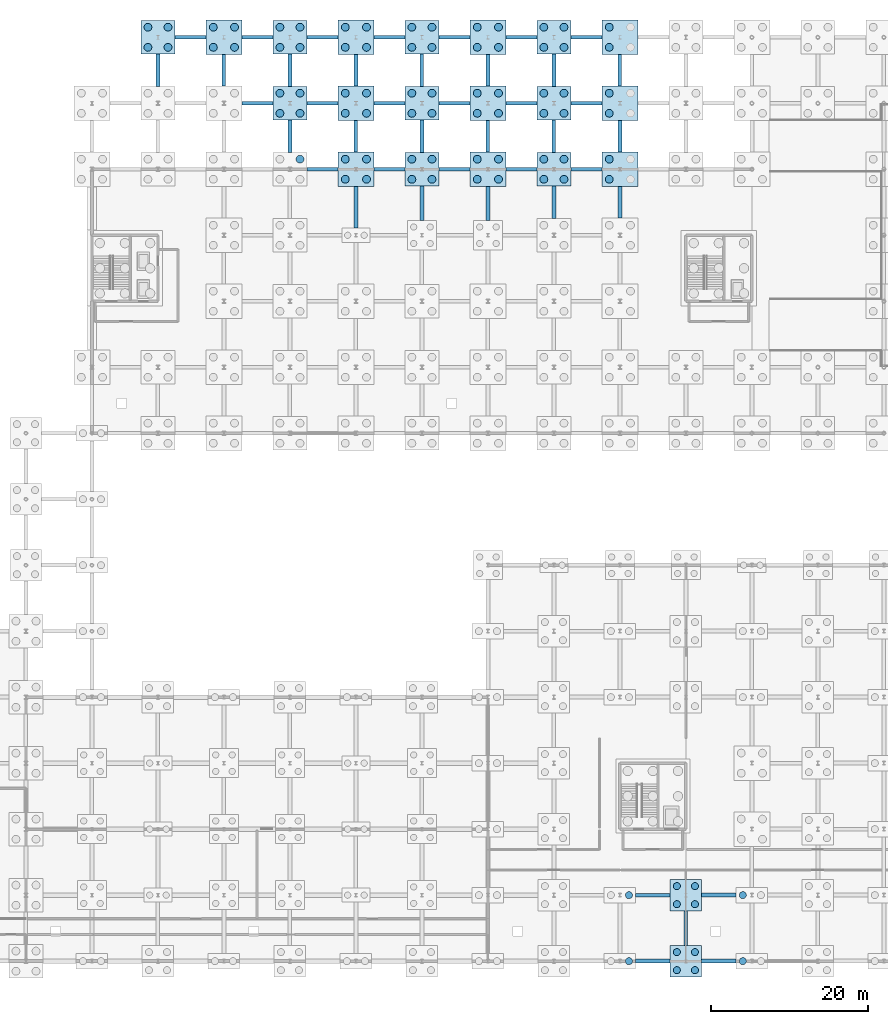
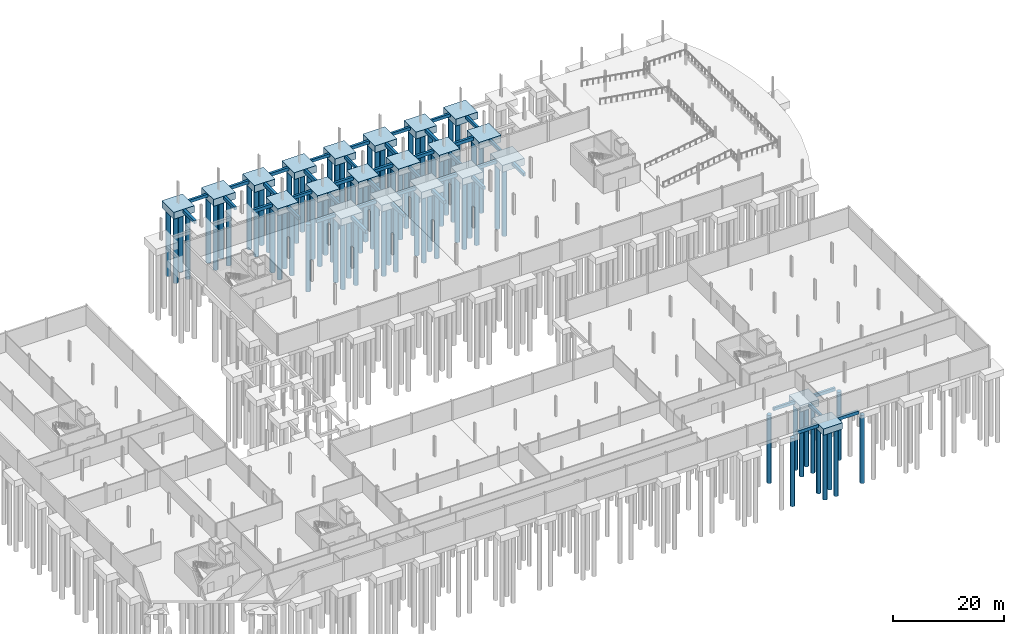
# One storey, part 8 of 51: 83 piles, 63 footings.
"""IFC4 building model written with IfcOpenShell, lengths in metres."""

from ifc_helpers import new_model, si_unit, direction, frame, origin, origin_2d, place, context, subcontext, project, spatial, rectangle, circle, extrude, material, material_profile, profile_set, type_object, element, save


model = new_model("IFC4")

# Units and contexts
model_context = context("Model", 3, precision=1e-05, world=origin(), true_north=direction((0.0, 1.0)))
body_context = subcontext(model_context, "Body", "Model", "MODEL_VIEW")
ifc_project = project(units=[si_unit("LENGTHUNIT", "METRE"), si_unit("AREAUNIT", "SQUARE_METRE"), si_unit("VOLUMEUNIT", "CUBIC_METRE"), si_unit("PLANEANGLEUNIT", "RADIAN"), si_unit("MASSUNIT", "GRAM", prefix="KILO")], contexts=[model_context])

# Site, building, storey
site_placement = place(None, origin())
site = spatial("IfcSite", under=ifc_project, at=site_placement, CompositionType="ELEMENT")
building_placement = place(site_placement, origin())
building = spatial("IfcBuilding", under=site, at=building_placement, Name="Qalvenar Corner Mobility Hub", CompositionType="ELEMENT")
storey_placement = place(building_placement, frame((0.0, 0.0, -4.5)))
storey = spatial("IfcBuildingStorey", under=building, at=storey_placement, Name="B1", CompositionType="ELEMENT", Elevation=-4.5)

# Footings
ifc_material = material(Name="Concrete C40/50", Category="concrete")
footing_type_1 = type_object("IfcFootingType", Name="PC-34X34X14", PredefinedType="PILE_CAP", material=ifc_material)
for number, where, z_axis, x_axis, name in (
    (1, (134.39990234375, 0.0, -1.75), (0.0, 0.0, 1.0), (1.0, 0.0, 0.0), "Pile Cap G17-0"),
    (2, (134.39990234375, 8.39990234375, -1.75), (0.0, 0.0, 1.0), (1.0, 0.0, 0.0), "Pile Cap G17-1"),
):
    element("IfcFooting", number, at=place(storey_placement, frame(where, z_axis=z_axis, x_axis=x_axis)), inside=storey, type_object=footing_type_1, Name=name, PredefinedType="PILE_CAP", context=body_context, shape_type="SweptSolid", body=[
        extrude(rectangle(XDim=4.0, YDim=4.0, at=origin_2d()), origin(), (0.0, 0.0, 1.0), 1.39990234375),
    ])
footing_type_2 = type_object("IfcFootingType", Name="PC-38X38X15", PredefinedType="PILE_CAP", material=ifc_material)
for number, where, z_axis, x_axis, name in (
    (3, (67.199951171875, 117.60009765625, -1.85009765625), (0.0, 0.0, 1.0), (1.0, 0.0, 0.0), "Pile Cap G9-14"),
    (4, (84.0, 109.199951171875, -1.85009765625), (0.0, 0.0, 1.0), (1.0, 0.0, 0.0), "Pile Cap G11-13"),
    (5, (84.0, 117.60009765625, -1.85009765625), (0.0, 0.0, 1.0), (1.0, 0.0, 0.0), "Pile Cap G11-14"),
    (6, (100.800048828125, 100.800048828125, -1.85009765625), (0.0, 0.0, 1.0), (1.0, 0.0, 0.0), "Pile Cap G13-12"),
    (7, (100.800048828125, 109.199951171875, -1.85009765625), (0.0, 0.0, 1.0), (1.0, 0.0, 0.0), "Pile Cap G13-13"),
    (8, (100.800048828125, 117.60009765625, -1.85009765625), (0.0, 0.0, 1.0), (1.0, 0.0, 0.0), "Pile Cap G13-14"),
    (9, (117.60009765625, 100.800048828125, -1.85009765625), (0.0, 0.0, 1.0), (1.0, 0.0, 0.0), "Pile Cap G15-12"),
    (10, (117.60009765625, 109.199951171875, -1.85009765625), (0.0, 0.0, 1.0), (1.0, 0.0, 0.0), "Pile Cap G15-13"),
    (11, (117.60009765625, 117.60009765625, -1.85009765625), (0.0, 0.0, 1.0), (1.0, 0.0, 0.0), "Pile Cap G15-14"),
):
    element("IfcFooting", number, at=place(storey_placement, frame(where, z_axis=z_axis, x_axis=x_axis)), inside=storey, type_object=footing_type_2, Name=name, PredefinedType="PILE_CAP", context=body_context, shape_type="SweptSolid", body=[
        extrude(rectangle(XDim=4.300048828125, YDim=4.300048828125, at=origin_2d()), origin(), (0.0, 0.0, 1.0), 1.5),
    ])
footing_type_3 = type_object("IfcFootingType", Name="PC-42X32X15", PredefinedType="PILE_CAP", material=ifc_material)
for number, where, z_axis, x_axis, name in (
    (12, (75.60009765625, 117.60009765625, -1.85009765625), (0.0, 0.0, 1.0), (1.0, 0.0, 0.0), "Pile Cap G10-14"),
    (13, (92.39990234375, 100.800048828125, -1.85009765625), (0.0, 0.0, 1.0), (1.0, 0.0, 0.0), "Pile Cap G12-12"),
    (14, (92.39990234375, 109.199951171875, -1.85009765625), (0.0, 0.0, 1.0), (1.0, 0.0, 0.0), "Pile Cap G12-13"),
    (15, (92.39990234375, 117.60009765625, -1.85009765625), (0.0, 0.0, 1.0), (1.0, 0.0, 0.0), "Pile Cap G12-14"),
    (16, (109.199951171875, 100.800048828125, -1.85009765625), (0.0, 0.0, 1.0), (1.0, 0.0, 0.0), "Pile Cap G14-12"),
    (17, (109.199951171875, 109.199951171875, -1.85009765625), (0.0, 0.0, 1.0), (1.0, 0.0, 0.0), "Pile Cap G14-13"),
    (18, (109.199951171875, 117.60009765625, -1.85009765625), (0.0, 0.0, 1.0), (1.0, 0.0, 0.0), "Pile Cap G14-14"),
    (19, (126.0, 100.800048828125, -1.85009765625), (0.0, 0.0, 1.0), (1.0, 0.0, 0.0), "Pile Cap G16-12"),
    (20, (126.0, 109.199951171875, -1.85009765625), (0.0, 0.0, 1.0), (1.0, 0.0, 0.0), "Pile Cap G16-13"),
    (21, (126.0, 117.60009765625, -1.85009765625), (0.0, 0.0, 1.0), (1.0, 0.0, 0.0), "Pile Cap G16-14"),
):
    element("IfcFooting", number, at=place(storey_placement, frame(where, z_axis=z_axis, x_axis=x_axis)), inside=storey, type_object=footing_type_3, Name=name, PredefinedType="PILE_CAP", context=body_context, shape_type="SweptSolid", body=[
        extrude(rectangle(XDim=4.60009765625, YDim=4.39990234375, at=origin_2d()), origin(), (0.0, 0.0, 1.0), 1.5),
    ])

# Piles
ifc_material_profile_1 = material_profile(ifc_material, circle(Radius=0.5, at=origin_2d()), Name="DIA1000")
ifc_profile_set_1 = profile_set([ifc_material_profile_1], Name="Concrete C40/50")
pile_type_1 = type_object("IfcPileType", Name="PILE-1000", PredefinedType="BORED", material=ifc_profile_set_1)
for number, where, z_axis, x_axis, name in (
    (22, (65.919921875, 116.320068359375, -1.699951171875), (0.0, 0.0, -1.0), (1.0, 0.0, 0.0), "Bored Pile G9-14-1"),
    (23, (65.919921875, 118.8798828125, -1.699951171875), (0.0, 0.0, -1.0), (1.0, 0.0, 0.0), "Bored Pile G9-14-2"),
    (24, (68.47998046875, 116.320068359375, -1.699951171875), (0.0, 0.0, -1.0), (1.0, 0.0, 0.0), "Bored Pile G9-14-3"),
    (25, (68.47998046875, 118.8798828125, -1.699951171875), (0.0, 0.0, -1.0), (1.0, 0.0, 0.0), "Bored Pile G9-14-4"),
    (26, (74.25, 116.320068359375, -1.699951171875), (0.0, 0.0, -1.0), (1.0, 0.0, 0.0), "Bored Pile G10-14-1"),
    (27, (74.25, 118.8798828125, -1.699951171875), (0.0, 0.0, -1.0), (1.0, 0.0, 0.0), "Bored Pile G10-14-2"),
    (28, (76.949951171875, 116.320068359375, -1.699951171875), (0.0, 0.0, -1.0), (1.0, 0.0, 0.0), "Bored Pile G10-14-3"),
    (29, (76.949951171875, 118.8798828125, -1.699951171875), (0.0, 0.0, -1.0), (1.0, 0.0, 0.0), "Bored Pile G10-14-4"),
    (30, (85.280029296875, 102.080078125, -1.699951171875), (0.0, 0.0, -1.0), (1.0, 0.0, 0.0), "Bored Pile G11-12-4"),
    (31, (82.719970703125, 107.919921875, -1.699951171875), (0.0, 0.0, -1.0), (1.0, 0.0, 0.0), "Bored Pile G11-13-1"),
    (32, (82.719970703125, 110.47998046875, -1.699951171875), (0.0, 0.0, -1.0), (1.0, 0.0, 0.0), "Bored Pile G11-13-2"),
    (33, (85.280029296875, 107.919921875, -1.699951171875), (0.0, 0.0, -1.0), (1.0, 0.0, 0.0), "Bored Pile G11-13-3"),
    (34, (85.280029296875, 110.47998046875, -1.699951171875), (0.0, 0.0, -1.0), (1.0, 0.0, 0.0), "Bored Pile G11-13-4"),
    (35, (82.719970703125, 116.320068359375, -1.699951171875), (0.0, 0.0, -1.0), (1.0, 0.0, 0.0), "Bored Pile G11-14-1"),
    (36, (82.719970703125, 118.8798828125, -1.699951171875), (0.0, 0.0, -1.0), (1.0, 0.0, 0.0), "Bored Pile G11-14-2"),
    (37, (85.280029296875, 116.320068359375, -1.699951171875), (0.0, 0.0, -1.0), (1.0, 0.0, 0.0), "Bored Pile G11-14-3"),
    (38, (85.280029296875, 118.8798828125, -1.699951171875), (0.0, 0.0, -1.0), (1.0, 0.0, 0.0), "Bored Pile G11-14-4"),
    (39, (91.050048828125, 99.52001953125, -1.699951171875), (0.0, 0.0, -1.0), (1.0, 0.0, 0.0), "Bored Pile G12-12-1"),
    (40, (91.050048828125, 102.080078125, -1.699951171875), (0.0, 0.0, -1.0), (1.0, 0.0, 0.0), "Bored Pile G12-12-2"),
    (41, (93.75, 99.52001953125, -1.699951171875), (0.0, 0.0, -1.0), (1.0, 0.0, 0.0), "Bored Pile G12-12-3"),
    (42, (93.75, 102.080078125, -1.699951171875), (0.0, 0.0, -1.0), (1.0, 0.0, 0.0), "Bored Pile G12-12-4"),
    (43, (91.050048828125, 107.919921875, -1.699951171875), (0.0, 0.0, -1.0), (1.0, 0.0, 0.0), "Bored Pile G12-13-1"),
    (44, (91.050048828125, 110.47998046875, -1.699951171875), (0.0, 0.0, -1.0), (1.0, 0.0, 0.0), "Bored Pile G12-13-2"),
    (45, (93.75, 107.919921875, -1.699951171875), (0.0, 0.0, -1.0), (1.0, 0.0, 0.0), "Bored Pile G12-13-3"),
    (46, (93.75, 110.47998046875, -1.699951171875), (0.0, 0.0, -1.0), (1.0, 0.0, 0.0), "Bored Pile G12-13-4"),
    (47, (91.050048828125, 116.320068359375, -1.699951171875), (0.0, 0.0, -1.0), (1.0, 0.0, 0.0), "Bored Pile G12-14-1"),
    (48, (91.050048828125, 118.8798828125, -1.699951171875), (0.0, 0.0, -1.0), (1.0, 0.0, 0.0), "Bored Pile G12-14-2"),
    (49, (93.75, 116.320068359375, -1.699951171875), (0.0, 0.0, -1.0), (1.0, 0.0, 0.0), "Bored Pile G12-14-3"),
    (50, (93.75, 118.8798828125, -1.699951171875), (0.0, 0.0, -1.0), (1.0, 0.0, 0.0), "Bored Pile G12-14-4"),
    (51, (99.52001953125, 99.52001953125, -1.699951171875), (0.0, 0.0, -1.0), (1.0, 0.0, 0.0), "Bored Pile G13-12-1"),
    (52, (99.52001953125, 102.080078125, -1.699951171875), (0.0, 0.0, -1.0), (1.0, 0.0, 0.0), "Bored Pile G13-12-2"),
    (53, (102.080078125, 99.52001953125, -1.699951171875), (0.0, 0.0, -1.0), (1.0, 0.0, 0.0), "Bored Pile G13-12-3"),
    (54, (102.080078125, 102.080078125, -1.699951171875), (0.0, 0.0, -1.0), (1.0, 0.0, 0.0), "Bored Pile G13-12-4"),
    (55, (99.52001953125, 107.919921875, -1.699951171875), (0.0, 0.0, -1.0), (1.0, 0.0, 0.0), "Bored Pile G13-13-1"),
    (56, (99.52001953125, 110.47998046875, -1.699951171875), (0.0, 0.0, -1.0), (1.0, 0.0, 0.0), "Bored Pile G13-13-2"),
    (57, (102.080078125, 107.919921875, -1.699951171875), (0.0, 0.0, -1.0), (1.0, 0.0, 0.0), "Bored Pile G13-13-3"),
    (58, (102.080078125, 110.47998046875, -1.699951171875), (0.0, 0.0, -1.0), (1.0, 0.0, 0.0), "Bored Pile G13-13-4"),
    (59, (99.52001953125, 116.320068359375, -1.699951171875), (0.0, 0.0, -1.0), (1.0, 0.0, 0.0), "Bored Pile G13-14-1"),
    (60, (99.52001953125, 118.8798828125, -1.699951171875), (0.0, 0.0, -1.0), (1.0, 0.0, 0.0), "Bored Pile G13-14-2"),
    (61, (102.080078125, 116.320068359375, -1.699951171875), (0.0, 0.0, -1.0), (1.0, 0.0, 0.0), "Bored Pile G13-14-3"),
    (62, (102.080078125, 118.8798828125, -1.699951171875), (0.0, 0.0, -1.0), (1.0, 0.0, 0.0), "Bored Pile G13-14-4"),
    (63, (107.85009765625, 99.52001953125, -1.699951171875), (0.0, 0.0, -1.0), (1.0, 0.0, 0.0), "Bored Pile G14-12-1"),
    (64, (107.85009765625, 102.080078125, -1.699951171875), (0.0, 0.0, -1.0), (1.0, 0.0, 0.0), "Bored Pile G14-12-2"),
    (65, (110.550048828125, 99.52001953125, -1.699951171875), (0.0, 0.0, -1.0), (1.0, 0.0, 0.0), "Bored Pile G14-12-3"),
    (66, (110.550048828125, 102.080078125, -1.699951171875), (0.0, 0.0, -1.0), (1.0, 0.0, 0.0), "Bored Pile G14-12-4"),
    (67, (107.85009765625, 107.919921875, -1.699951171875), (0.0, 0.0, -1.0), (1.0, 0.0, 0.0), "Bored Pile G14-13-1"),
    (68, (107.85009765625, 110.47998046875, -1.699951171875), (0.0, 0.0, -1.0), (1.0, 0.0, 0.0), "Bored Pile G14-13-2"),
    (69, (110.550048828125, 107.919921875, -1.699951171875), (0.0, 0.0, -1.0), (1.0, 0.0, 0.0), "Bored Pile G14-13-3"),
    (70, (110.550048828125, 110.47998046875, -1.699951171875), (0.0, 0.0, -1.0), (1.0, 0.0, 0.0), "Bored Pile G14-13-4"),
    (71, (107.85009765625, 116.320068359375, -1.699951171875), (0.0, 0.0, -1.0), (1.0, 0.0, 0.0), "Bored Pile G14-14-1"),
    (72, (107.85009765625, 118.8798828125, -1.699951171875), (0.0, 0.0, -1.0), (1.0, 0.0, 0.0), "Bored Pile G14-14-2"),
    (73, (110.550048828125, 116.320068359375, -1.699951171875), (0.0, 0.0, -1.0), (1.0, 0.0, 0.0), "Bored Pile G14-14-3"),
    (74, (110.550048828125, 118.8798828125, -1.699951171875), (0.0, 0.0, -1.0), (1.0, 0.0, 0.0), "Bored Pile G14-14-4"),
    (75, (116.320068359375, 99.52001953125, -1.699951171875), (0.0, 0.0, -1.0), (1.0, 0.0, 0.0), "Bored Pile G15-12-1"),
    (76, (116.320068359375, 102.080078125, -1.699951171875), (0.0, 0.0, -1.0), (1.0, 0.0, 0.0), "Bored Pile G15-12-2"),
    (77, (118.8798828125, 99.52001953125, -1.699951171875), (0.0, 0.0, -1.0), (1.0, 0.0, 0.0), "Bored Pile G15-12-3"),
    (78, (118.8798828125, 102.080078125, -1.699951171875), (0.0, 0.0, -1.0), (1.0, 0.0, 0.0), "Bored Pile G15-12-4"),
    (79, (116.320068359375, 107.919921875, -1.699951171875), (0.0, 0.0, -1.0), (1.0, 0.0, 0.0), "Bored Pile G15-13-1"),
    (80, (116.320068359375, 110.47998046875, -1.699951171875), (0.0, 0.0, -1.0), (1.0, 0.0, 0.0), "Bored Pile G15-13-2"),
    (81, (118.8798828125, 107.919921875, -1.699951171875), (0.0, 0.0, -1.0), (1.0, 0.0, 0.0), "Bored Pile G15-13-3"),
    (82, (118.8798828125, 110.47998046875, -1.699951171875), (0.0, 0.0, -1.0), (1.0, 0.0, 0.0), "Bored Pile G15-13-4"),
    (83, (116.320068359375, 116.320068359375, -1.699951171875), (0.0, 0.0, -1.0), (1.0, 0.0, 0.0), "Bored Pile G15-14-1"),
    (84, (116.320068359375, 118.8798828125, -1.699951171875), (0.0, 0.0, -1.0), (1.0, 0.0, 0.0), "Bored Pile G15-14-2"),
    (85, (118.8798828125, 116.320068359375, -1.699951171875), (0.0, 0.0, -1.0), (1.0, 0.0, 0.0), "Bored Pile G15-14-3"),
    (86, (118.8798828125, 118.8798828125, -1.699951171875), (0.0, 0.0, -1.0), (1.0, 0.0, 0.0), "Bored Pile G15-14-4"),
    (87, (124.64990234375, 99.52001953125, -1.699951171875), (0.0, 0.0, -1.0), (1.0, 0.0, 0.0), "Bored Pile G16-12-1"),
    (88, (124.64990234375, 102.080078125, -1.699951171875), (0.0, 0.0, -1.0), (1.0, 0.0, 0.0), "Bored Pile G16-12-2"),
    (89, (124.64990234375, 107.919921875, -1.699951171875), (0.0, 0.0, -1.0), (1.0, 0.0, 0.0), "Bored Pile G16-13-1"),
    (90, (124.64990234375, 110.47998046875, -1.699951171875), (0.0, 0.0, -1.0), (1.0, 0.0, 0.0), "Bored Pile G16-13-2"),
    (91, (124.64990234375, 116.320068359375, -1.699951171875), (0.0, 0.0, -1.0), (1.0, 0.0, 0.0), "Bored Pile G16-14-1"),
    (92, (124.64990234375, 118.8798828125, -1.699951171875), (0.0, 0.0, -1.0), (1.0, 0.0, 0.0), "Bored Pile G16-14-2"),
):
    element("IfcPile", number, at=place(storey_placement, frame(where, z_axis=z_axis, x_axis=x_axis)), inside=storey, type_object=pile_type_1, Name=name, PredefinedType="BORED", context=body_context, shape_type="SweptSolid", body=[
        extrude(circle(Radius=0.5, at=origin_2d()), origin(), (0.0, 0.0, 1.0), 14.800048828125),
    ])
ifc_material_profile_2 = material_profile(ifc_material, circle(Radius=0.449951171875, at=origin_2d()), Name="DIA900")
ifc_profile_set_2 = profile_set([ifc_material_profile_2], Name="Concrete C40/50")
pile_type_2 = type_object("IfcPileType", Name="PILE-900", PredefinedType="BORED", material=ifc_profile_set_2)
for number, where, z_axis, x_axis, name in (
    (93, (127.14990234375, 0.0, -1.5), (0.0, 0.0, -1.0), (1.0, 0.0, 0.0), "Bored Pile G16-0-2"),
    (94, (127.14990234375, 8.39990234375, -1.5), (0.0, 0.0, -1.0), (1.0, 0.0, 0.0), "Bored Pile G16-1-2"),
):
    element("IfcPile", number, at=place(storey_placement, frame(where, z_axis=z_axis, x_axis=x_axis)), inside=storey, type_object=pile_type_2, Name=name, PredefinedType="BORED", context=body_context, shape_type="SweptSolid", body=[
        extrude(circle(Radius=0.449951171875, at=origin_2d()), origin(), (0.0, 0.0, 1.0), 15.0),
    ])
for number, where, z_axis, x_axis, name in (
    (95, (133.25, -1.14990234375, -1.60009765625), (0.0, 0.0, -1.0), (1.0, 0.0, 0.0), "Bored Pile G17-0-1"),
    (96, (133.25, 1.14990234375, -1.60009765625), (0.0, 0.0, -1.0), (1.0, 0.0, 0.0), "Bored Pile G17-0-2"),
    (97, (135.550048828125, -1.14990234375, -1.60009765625), (0.0, 0.0, -1.0), (1.0, 0.0, 0.0), "Bored Pile G17-0-3"),
    (98, (135.550048828125, 1.14990234375, -1.60009765625), (0.0, 0.0, -1.0), (1.0, 0.0, 0.0), "Bored Pile G17-0-4"),
    (99, (133.25, 7.25, -1.60009765625), (0.0, 0.0, -1.0), (1.0, 0.0, 0.0), "Bored Pile G17-1-1"),
    (100, (133.25, 9.550048828125, -1.60009765625), (0.0, 0.0, -1.0), (1.0, 0.0, 0.0), "Bored Pile G17-1-2"),
    (101, (135.550048828125, 7.25, -1.60009765625), (0.0, 0.0, -1.0), (1.0, 0.0, 0.0), "Bored Pile G17-1-3"),
    (102, (135.550048828125, 9.550048828125, -1.60009765625), (0.0, 0.0, -1.0), (1.0, 0.0, 0.0), "Bored Pile G17-1-4"),
):
    element("IfcPile", number, at=place(storey_placement, frame(where, z_axis=z_axis, x_axis=x_axis)), inside=storey, type_object=pile_type_2, Name=name, PredefinedType="BORED", context=body_context, shape_type="SweptSolid", body=[
        extrude(circle(Radius=0.449951171875, at=origin_2d()), origin(), (0.0, 0.0, 1.0), 14.89990234375),
    ])
for number, where, z_axis, x_axis, name in (
    (103, (141.64990234375, 0.0, -1.5), (0.0, 0.0, -1.0), (1.0, 0.0, 0.0), "Bored Pile G18-0-1"),
    (104, (141.64990234375, 8.39990234375, -1.5), (0.0, 0.0, -1.0), (1.0, 0.0, 0.0), "Bored Pile G18-1-1"),
):
    element("IfcPile", number, at=place(storey_placement, frame(where, z_axis=z_axis, x_axis=x_axis)), inside=storey, type_object=pile_type_2, Name=name, PredefinedType="BORED", context=body_context, shape_type="SweptSolid", body=[
        extrude(circle(Radius=0.449951171875, at=origin_2d()), origin(), (0.0, 0.0, 1.0), 15.0),
    ])

# Footings
ifc_material_profile_3 = material_profile(ifc_material, rectangle(XDim=0.449951171875, YDim=0.64990234375, at=origin_2d()), Name="RC450x650")
ifc_profile_set_3 = profile_set([ifc_material_profile_3], Name="Concrete C40/50")
footing_type_4 = type_object("IfcFootingType", Name="TB-450X650", PredefinedType="FOOTING_BEAM", material=ifc_profile_set_3)
footing_1_placement = place(storey_placement, frame((69.35009765625, 117.60009765625, -0.675048828125), z_axis=(1.0, 0.0, 0.0), x_axis=(0.0, 1.0, 0.0)))
element("IfcFooting", 105, at=footing_1_placement, inside=storey, type_object=footing_type_4, Name="Foundation Tie Beam TB-135", PredefinedType="FOOTING_BEAM", context=body_context, shape_type="SweptSolid", body=[
    extrude(rectangle(XDim=0.449951171875, YDim=0.64990234375, at=origin_2d()), origin(), (0.0, 0.0, 1.0), 3.949951171875),
])
footing_2_placement = place(storey_placement, frame((75.60009765625, 111.39990234375, -0.675048828125), z_axis=(0.0, 1.0, 0.0), x_axis=(-1.0, 0.0, 0.0)))
element("IfcFooting", 106, at=footing_2_placement, inside=storey, type_object=footing_type_4, Name="Foundation Tie Beam TB-156", PredefinedType="FOOTING_BEAM", context=body_context, shape_type="SweptSolid", body=[
    extrude(rectangle(XDim=0.449951171875, YDim=0.64990234375, at=origin_2d()), origin(), (0.0, 0.0, 1.0), 4.0),
])
footing_3_placement = place(storey_placement, frame((86.14990234375, 109.199951171875, -0.675048828125), z_axis=(1.0, 0.0, 0.0), x_axis=(0.0, 1.0, 0.0)))
element("IfcFooting", 107, at=footing_3_placement, inside=storey, type_object=footing_type_4, Name="Foundation Tie Beam TB-177", PredefinedType="FOOTING_BEAM", context=body_context, shape_type="SweptSolid", body=[
    extrude(rectangle(XDim=0.449951171875, YDim=0.64990234375, at=origin_2d()), origin(), (0.0, 0.0, 1.0), 3.9501953125),
])
footing_4_placement = place(storey_placement, frame((92.39990234375, 103.0, -0.675048828125), z_axis=(0.0, 1.0, 0.0), x_axis=(-1.0, 0.0, 0.0)))
element("IfcFooting", 108, at=footing_4_placement, inside=storey, type_object=footing_type_4, Name="Foundation Tie Beam TB-198", PredefinedType="FOOTING_BEAM", context=body_context, shape_type="SweptSolid", body=[
    extrude(rectangle(XDim=0.449951171875, YDim=0.64990234375, at=origin_2d()), origin(), (0.0, 0.0, 1.0), 4.0),
])
for number, where, z_axis, x_axis, name in (
    (109, (94.699951171875, 117.60009765625, -0.675048828125), (1.0, 0.0, 0.0), (0.0, 1.0, 0.0), "Foundation Tie Beam TB-201"),
    (110, (102.949951171875, 100.800048828125, -0.675048828125), (1.0, 0.0, 0.0), (0.0, 1.0, 0.0), "Foundation Tie Beam TB-219"),
):
    element("IfcFooting", number, at=place(storey_placement, frame(where, z_axis=z_axis, x_axis=x_axis)), inside=storey, type_object=footing_type_4, Name=name, PredefinedType="FOOTING_BEAM", context=body_context, shape_type="SweptSolid", body=[
        extrude(rectangle(XDim=0.449951171875, YDim=0.64990234375, at=origin_2d()), origin(), (0.0, 0.0, 1.0), 3.949951171875),
    ])
footing_5_placement = place(storey_placement, frame((100.800048828125, 111.35009765625, -0.675048828125), z_axis=(0.0, 1.0, 0.0), x_axis=(-1.0, 0.0, 0.0)))
element("IfcFooting", 111, at=footing_5_placement, inside=storey, type_object=footing_type_4, Name="Foundation Tie Beam TB-222", PredefinedType="FOOTING_BEAM", context=body_context, shape_type="SweptSolid", body=[
    extrude(rectangle(XDim=0.449951171875, YDim=0.64990234375, at=origin_2d()), origin(), (0.0, 0.0, 1.0), 4.099853515625),
])
footing_6_placement = place(storey_placement, frame((109.199951171875, 103.0, -0.675048828125), z_axis=(0.0, 1.0, 0.0), x_axis=(-1.0, 0.0, 0.0)))
element("IfcFooting", 112, at=footing_6_placement, inside=storey, type_object=footing_type_4, Name="Foundation Tie Beam TB-246", PredefinedType="FOOTING_BEAM", context=body_context, shape_type="SweptSolid", body=[
    extrude(rectangle(XDim=0.449951171875, YDim=0.64990234375, at=origin_2d()), origin(), (0.0, 0.0, 1.0), 4.0),
])
footing_7_placement = place(storey_placement, frame((111.5, 117.60009765625, -0.675048828125), z_axis=(1.0, 0.0, 0.0), x_axis=(0.0, 1.0, 0.0)))
element("IfcFooting", 113, at=footing_7_placement, inside=storey, type_object=footing_type_4, Name="Foundation Tie Beam TB-249", PredefinedType="FOOTING_BEAM", context=body_context, shape_type="SweptSolid", body=[
    extrude(rectangle(XDim=0.449951171875, YDim=0.64990234375, at=origin_2d()), origin(), (0.0, 0.0, 1.0), 3.949951171875),
])
footing_8_placement = place(storey_placement, frame((117.60009765625, 102.949951171875, -0.675048828125), z_axis=(0.0, 1.0, 0.0), x_axis=(-1.0, 0.0, 0.0)))
element("IfcFooting", 114, at=footing_8_placement, inside=storey, type_object=footing_type_4, Name="Foundation Tie Beam TB-270", PredefinedType="FOOTING_BEAM", context=body_context, shape_type="SweptSolid", body=[
    extrude(rectangle(XDim=0.449951171875, YDim=0.64990234375, at=origin_2d()), origin(), (0.0, 0.0, 1.0), 4.10009765625),
])
footing_9_placement = place(storey_placement, frame((119.75, 117.60009765625, -0.675048828125), z_axis=(1.0, 0.0, 0.0), x_axis=(0.0, 1.0, 0.0)))
element("IfcFooting", 115, at=footing_9_placement, inside=storey, type_object=footing_type_4, Name="Foundation Tie Beam TB-273", PredefinedType="FOOTING_BEAM", context=body_context, shape_type="SweptSolid", body=[
    extrude(rectangle(XDim=0.449951171875, YDim=0.64990234375, at=origin_2d()), origin(), (0.0, 0.0, 1.0), 3.949951171875),
])
footing_10_placement = place(storey_placement, frame((128.0, 8.39990234375, -0.675048828125), z_axis=(1.0, 0.0, 0.0), x_axis=(0.0, 1.0, 0.0)))
element("IfcFooting", 116, at=footing_10_placement, inside=storey, type_object=footing_type_4, Name="Foundation Tie Beam TB-276", PredefinedType="FOOTING_BEAM", context=body_context, shape_type="SweptSolid", body=[
    extrude(rectangle(XDim=0.449951171875, YDim=0.64990234375, at=origin_2d()), origin(), (0.0, 0.0, 1.0), 4.39990234375),
])
footing_11_placement = place(storey_placement, frame((126.0, 111.39990234375, -0.675048828125), z_axis=(0.0, 1.0, 0.0), x_axis=(-1.0, 0.0, 0.0)))
element("IfcFooting", 117, at=footing_11_placement, inside=storey, type_object=footing_type_4, Name="Foundation Tie Beam TB-291", PredefinedType="FOOTING_BEAM", context=body_context, shape_type="SweptSolid", body=[
    extrude(rectangle(XDim=0.449951171875, YDim=0.64990234375, at=origin_2d()), origin(), (0.0, 0.0, 1.0), 4.0),
])
footing_12_placement = place(storey_placement, frame((134.39990234375, 2.0, -0.675048828125), z_axis=(0.0, 1.0, 0.0), x_axis=(-1.0, 0.0, 0.0)))
element("IfcFooting", 118, at=footing_12_placement, inside=storey, type_object=footing_type_4, Name="Foundation Tie Beam TB-294", PredefinedType="FOOTING_BEAM", context=body_context, shape_type="SweptSolid", body=[
    extrude(rectangle(XDim=0.449951171875, YDim=0.64990234375, at=origin_2d()), origin(), (0.0, 0.0, 1.0), 4.39990234375),
])
ifc_material_profile_4 = material_profile(ifc_material, rectangle(XDim=0.5, YDim=0.699951171875, at=origin_2d()), Name="RC500x700")
ifc_profile_set_4 = profile_set([ifc_material_profile_4], Name="Concrete C40/50")
footing_type_5 = type_object("IfcFootingType", Name="TB-500X700", PredefinedType="FOOTING_BEAM", material=ifc_profile_set_4)
footing_13_placement = place(storey_placement, frame((67.199951171875, 111.35009765625, -0.699951171875), z_axis=(0.0, 1.0, 0.0), x_axis=(-1.0, 0.0, 0.0)))
element("IfcFooting", 119, at=footing_13_placement, inside=storey, type_object=footing_type_5, Name="Foundation Tie Beam TB-134", PredefinedType="FOOTING_BEAM", context=body_context, shape_type="SweptSolid", body=[
    extrude(rectangle(XDim=0.5, YDim=0.699951171875, at=origin_2d()), origin(), (0.0, 0.0, 1.0), 4.099853515625),
])
for number, where, z_axis, x_axis, name in (
    (120, (77.89990234375, 109.199951171875, -0.699951171875), (1.0, 0.0, 0.0), (0.0, 1.0, 0.0), "Foundation Tie Beam TB-155"),
    (121, (77.89990234375, 117.60009765625, -0.699951171875), (1.0, 0.0, 0.0), (0.0, 1.0, 0.0), "Foundation Tie Beam TB-157"),
    (122, (86.14990234375, 100.800048828125, -0.699951171875), (1.0, 0.0, 0.0), (0.0, 1.0, 0.0), "Foundation Tie Beam TB-175"),
):
    element("IfcFooting", number, at=place(storey_placement, frame(where, z_axis=z_axis, x_axis=x_axis)), inside=storey, type_object=footing_type_5, Name=name, PredefinedType="FOOTING_BEAM", context=body_context, shape_type="SweptSolid", body=[
        extrude(rectangle(XDim=0.5, YDim=0.699951171875, at=origin_2d()), origin(), (0.0, 0.0, 1.0), 3.9501953125),
    ])
footing_14_placement = place(storey_placement, frame((84.0, 102.949951171875, -0.699951171875), z_axis=(0.0, 1.0, 0.0), x_axis=(-1.0, 0.0, 0.0)))
element("IfcFooting", 123, at=footing_14_placement, inside=storey, type_object=footing_type_5, Name="Foundation Tie Beam TB-176", PredefinedType="FOOTING_BEAM", context=body_context, shape_type="SweptSolid", body=[
    extrude(rectangle(XDim=0.5, YDim=0.699951171875, at=origin_2d()), origin(), (0.0, 0.0, 1.0), 4.10009765625),
])
footing_15_placement = place(storey_placement, frame((84.0, 111.35009765625, -0.699951171875), z_axis=(0.0, 1.0, 0.0), x_axis=(-1.0, 0.0, 0.0)))
element("IfcFooting", 124, at=footing_15_placement, inside=storey, type_object=footing_type_5, Name="Foundation Tie Beam TB-178", PredefinedType="FOOTING_BEAM", context=body_context, shape_type="SweptSolid", body=[
    extrude(rectangle(XDim=0.5, YDim=0.699951171875, at=origin_2d()), origin(), (0.0, 0.0, 1.0), 4.099853515625),
])
footing_16_placement = place(storey_placement, frame((86.14990234375, 117.60009765625, -0.699951171875), z_axis=(1.0, 0.0, 0.0), x_axis=(0.0, 1.0, 0.0)))
element("IfcFooting", 125, at=footing_16_placement, inside=storey, type_object=footing_type_5, Name="Foundation Tie Beam TB-179", PredefinedType="FOOTING_BEAM", context=body_context, shape_type="SweptSolid", body=[
    extrude(rectangle(XDim=0.5, YDim=0.699951171875, at=origin_2d()), origin(), (0.0, 0.0, 1.0), 3.9501953125),
])
footing_17_placement = place(storey_placement, frame((92.39990234375, 93.300048828125, -0.699951171875), z_axis=(0.0, 1.0, 0.0), x_axis=(-1.0, 0.0, 0.0)))
element("IfcFooting", 126, at=footing_17_placement, inside=storey, type_object=footing_type_5, Name="Foundation Tie Beam TB-196", PredefinedType="FOOTING_BEAM", context=body_context, shape_type="SweptSolid", body=[
    extrude(rectangle(XDim=0.5, YDim=0.699951171875, at=origin_2d()), origin(), (0.0, 0.0, 1.0), 5.300048828125),
])
for number, where, z_axis, x_axis, name in (
    (127, (94.699951171875, 100.800048828125, -0.699951171875), (1.0, 0.0, 0.0), (0.0, 1.0, 0.0), "Foundation Tie Beam TB-197"),
    (128, (94.699951171875, 109.199951171875, -0.699951171875), (1.0, 0.0, 0.0), (0.0, 1.0, 0.0), "Foundation Tie Beam TB-199"),
):
    element("IfcFooting", number, at=place(storey_placement, frame(where, z_axis=z_axis, x_axis=x_axis)), inside=storey, type_object=footing_type_5, Name=name, PredefinedType="FOOTING_BEAM", context=body_context, shape_type="SweptSolid", body=[
        extrude(rectangle(XDim=0.5, YDim=0.699951171875, at=origin_2d()), origin(), (0.0, 0.0, 1.0), 3.949951171875),
    ])
footing_18_placement = place(storey_placement, frame((92.39990234375, 111.39990234375, -0.699951171875), z_axis=(0.0, 1.0, 0.0), x_axis=(-1.0, 0.0, 0.0)))
element("IfcFooting", 129, at=footing_18_placement, inside=storey, type_object=footing_type_5, Name="Foundation Tie Beam TB-200", PredefinedType="FOOTING_BEAM", context=body_context, shape_type="SweptSolid", body=[
    extrude(rectangle(XDim=0.5, YDim=0.699951171875, at=origin_2d()), origin(), (0.0, 0.0, 1.0), 4.0),
])
footing_19_placement = place(storey_placement, frame((100.800048828125, 94.25, -0.699951171875), z_axis=(0.0, 1.0, 0.0), x_axis=(-1.0, 0.0, 0.0)))
element("IfcFooting", 130, at=footing_19_placement, inside=storey, type_object=footing_type_5, Name="Foundation Tie Beam TB-218", PredefinedType="FOOTING_BEAM", context=body_context, shape_type="SweptSolid", body=[
    extrude(rectangle(XDim=0.5, YDim=0.699951171875, at=origin_2d()), origin(), (0.0, 0.0, 1.0), 4.39990234375),
])
footing_20_placement = place(storey_placement, frame((100.800048828125, 102.949951171875, -0.699951171875), z_axis=(0.0, 1.0, 0.0), x_axis=(-1.0, 0.0, 0.0)))
element("IfcFooting", 131, at=footing_20_placement, inside=storey, type_object=footing_type_5, Name="Foundation Tie Beam TB-220", PredefinedType="FOOTING_BEAM", context=body_context, shape_type="SweptSolid", body=[
    extrude(rectangle(XDim=0.5, YDim=0.699951171875, at=origin_2d()), origin(), (0.0, 0.0, 1.0), 4.10009765625),
])
for number, where, z_axis, x_axis, name in (
    (132, (102.949951171875, 109.199951171875, -0.699951171875), (1.0, 0.0, 0.0), (0.0, 1.0, 0.0), "Foundation Tie Beam TB-221"),
    (133, (102.949951171875, 117.60009765625, -0.699951171875), (1.0, 0.0, 0.0), (0.0, 1.0, 0.0), "Foundation Tie Beam TB-223"),
):
    element("IfcFooting", number, at=place(storey_placement, frame(where, z_axis=z_axis, x_axis=x_axis)), inside=storey, type_object=footing_type_5, Name=name, PredefinedType="FOOTING_BEAM", context=body_context, shape_type="SweptSolid", body=[
        extrude(rectangle(XDim=0.5, YDim=0.699951171875, at=origin_2d()), origin(), (0.0, 0.0, 1.0), 3.949951171875),
    ])
footing_21_placement = place(storey_placement, frame((109.199951171875, 94.25, -0.699951171875), z_axis=(0.0, 1.0, 0.0), x_axis=(-1.0, 0.0, 0.0)))
element("IfcFooting", 134, at=footing_21_placement, inside=storey, type_object=footing_type_5, Name="Foundation Tie Beam TB-244", PredefinedType="FOOTING_BEAM", context=body_context, shape_type="SweptSolid", body=[
    extrude(rectangle(XDim=0.5, YDim=0.699951171875, at=origin_2d()), origin(), (0.0, 0.0, 1.0), 4.35009765625),
])
for number, where, z_axis, x_axis, name in (
    (135, (111.5, 100.800048828125, -0.699951171875), (1.0, 0.0, 0.0), (0.0, 1.0, 0.0), "Foundation Tie Beam TB-245"),
    (136, (111.5, 109.199951171875, -0.699951171875), (1.0, 0.0, 0.0), (0.0, 1.0, 0.0), "Foundation Tie Beam TB-247"),
):
    element("IfcFooting", number, at=place(storey_placement, frame(where, z_axis=z_axis, x_axis=x_axis)), inside=storey, type_object=footing_type_5, Name=name, PredefinedType="FOOTING_BEAM", context=body_context, shape_type="SweptSolid", body=[
        extrude(rectangle(XDim=0.5, YDim=0.699951171875, at=origin_2d()), origin(), (0.0, 0.0, 1.0), 3.949951171875),
    ])
footing_22_placement = place(storey_placement, frame((109.199951171875, 111.39990234375, -0.699951171875), z_axis=(0.0, 1.0, 0.0), x_axis=(-1.0, 0.0, 0.0)))
element("IfcFooting", 137, at=footing_22_placement, inside=storey, type_object=footing_type_5, Name="Foundation Tie Beam TB-248", PredefinedType="FOOTING_BEAM", context=body_context, shape_type="SweptSolid", body=[
    extrude(rectangle(XDim=0.5, YDim=0.699951171875, at=origin_2d()), origin(), (0.0, 0.0, 1.0), 4.0),
])
footing_23_placement = place(storey_placement, frame((117.60009765625, 94.550048828125, -0.699951171875), z_axis=(0.0, 1.0, 0.0), x_axis=(-1.0, 0.0, 0.0)))
element("IfcFooting", 138, at=footing_23_placement, inside=storey, type_object=footing_type_5, Name="Foundation Tie Beam TB-268", PredefinedType="FOOTING_BEAM", context=body_context, shape_type="SweptSolid", body=[
    extrude(rectangle(XDim=0.5, YDim=0.699951171875, at=origin_2d()), origin(), (0.0, 0.0, 1.0), 4.099853515625),
])
for number, where, z_axis, x_axis, name in (
    (139, (119.75, 100.800048828125, -0.699951171875), (1.0, 0.0, 0.0), (0.0, 1.0, 0.0), "Foundation Tie Beam TB-269"),
    (140, (119.75, 109.199951171875, -0.699951171875), (1.0, 0.0, 0.0), (0.0, 1.0, 0.0), "Foundation Tie Beam TB-271"),
):
    element("IfcFooting", number, at=place(storey_placement, frame(where, z_axis=z_axis, x_axis=x_axis)), inside=storey, type_object=footing_type_5, Name=name, PredefinedType="FOOTING_BEAM", context=body_context, shape_type="SweptSolid", body=[
        extrude(rectangle(XDim=0.5, YDim=0.699951171875, at=origin_2d()), origin(), (0.0, 0.0, 1.0), 3.949951171875),
    ])
footing_24_placement = place(storey_placement, frame((117.60009765625, 111.35009765625, -0.699951171875), z_axis=(0.0, 1.0, 0.0), x_axis=(-1.0, 0.0, 0.0)))
element("IfcFooting", 141, at=footing_24_placement, inside=storey, type_object=footing_type_5, Name="Foundation Tie Beam TB-272", PredefinedType="FOOTING_BEAM", context=body_context, shape_type="SweptSolid", body=[
    extrude(rectangle(XDim=0.5, YDim=0.699951171875, at=origin_2d()), origin(), (0.0, 0.0, 1.0), 4.099853515625),
])
footing_25_placement = place(storey_placement, frame((128.0, 0.0, -0.699951171875), z_axis=(1.0, 0.0, 0.0), x_axis=(0.0, 1.0, 0.0)))
element("IfcFooting", 142, at=footing_25_placement, inside=storey, type_object=footing_type_5, Name="Foundation Tie Beam TB-274", PredefinedType="FOOTING_BEAM", context=body_context, shape_type="SweptSolid", body=[
    extrude(rectangle(XDim=0.5, YDim=0.699951171875, at=origin_2d()), origin(), (0.0, 0.0, 1.0), 4.39990234375),
])
for number, where, z_axis, x_axis, name in (
    (143, (126.0, 94.60009765625, -0.699951171875), (0.0, 1.0, 0.0), (-1.0, 0.0, 0.0), "Foundation Tie Beam TB-287"),
    (144, (126.0, 103.0, -0.699951171875), (0.0, 1.0, 0.0), (-1.0, 0.0, 0.0), "Foundation Tie Beam TB-289"),
):
    element("IfcFooting", number, at=place(storey_placement, frame(where, z_axis=z_axis, x_axis=x_axis)), inside=storey, type_object=footing_type_5, Name=name, PredefinedType="FOOTING_BEAM", context=body_context, shape_type="SweptSolid", body=[
        extrude(rectangle(XDim=0.5, YDim=0.699951171875, at=origin_2d()), origin(), (0.0, 0.0, 1.0), 4.0),
    ])
for number, where, z_axis, x_axis, name in (
    (145, (136.39990234375, 0.0, -0.699951171875), (1.0, 0.0, 0.0), (0.0, 1.0, 0.0), "Foundation Tie Beam TB-293"),
    (146, (136.39990234375, 8.39990234375, -0.699951171875), (1.0, 0.0, 0.0), (0.0, 1.0, 0.0), "Foundation Tie Beam TB-295"),
):
    element("IfcFooting", number, at=place(storey_placement, frame(where, z_axis=z_axis, x_axis=x_axis)), inside=storey, type_object=footing_type_5, Name=name, PredefinedType="FOOTING_BEAM", context=body_context, shape_type="SweptSolid", body=[
        extrude(rectangle(XDim=0.5, YDim=0.699951171875, at=origin_2d()), origin(), (0.0, 0.0, 1.0), 4.400146484375),
    ])

save(model, "model.ifc")
